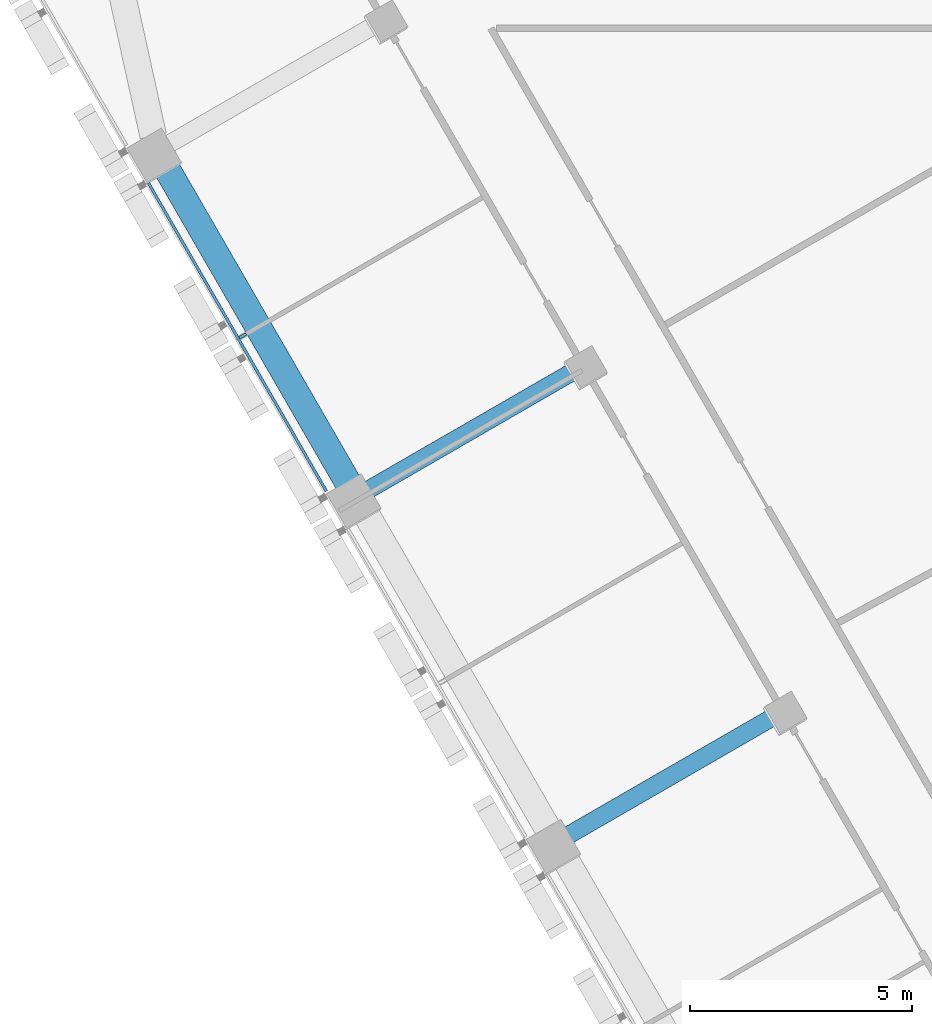
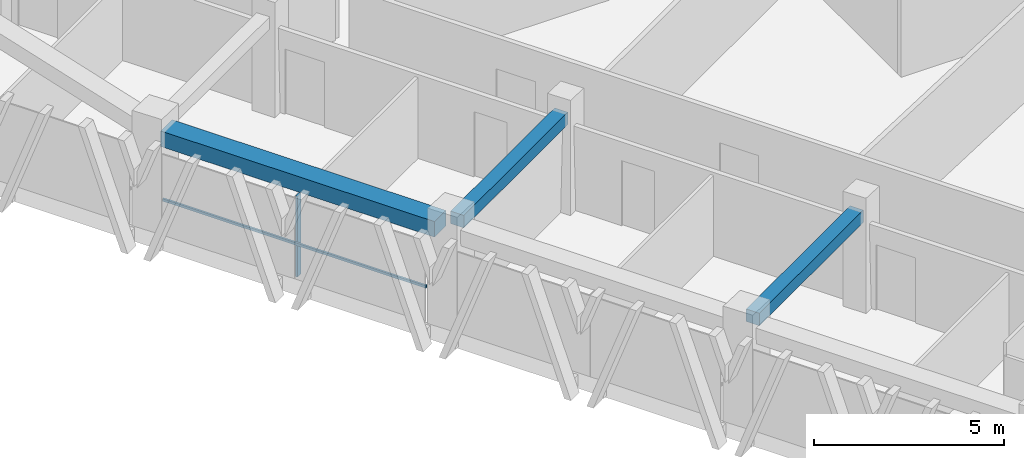
# One storey, part 3 of 16: 3 beams, 2 members, 1 element without a shape of its own.
"""IFC4 building model written with IfcOpenShell, lengths in metres."""

from ifc_helpers import new_model, si_unit, direction, frame, origin, origin_2d, place, context, subcontext, project, spatial, rectangle, extrude, material, layer, layer_set, material_profile, profile_set, type_object, element, aggregate, save


model = new_model("IFC4")

# Units and contexts
model_context = context("Model", 3, precision=1e-05, world=origin(), true_north=direction((0.0, 1.0)))
body_context = subcontext(model_context, "Body", "Model", "MODEL_VIEW")
ifc_project = project(units=[si_unit("LENGTHUNIT", "METRE"), si_unit("AREAUNIT", "SQUARE_METRE"), si_unit("VOLUMEUNIT", "CUBIC_METRE"), si_unit("PLANEANGLEUNIT", "RADIAN"), si_unit("MASSUNIT", "GRAM", prefix="KILO")], contexts=[model_context])

# Site, building, storey
site_placement = place(None, origin())
site = spatial("IfcSite", under=ifc_project, at=site_placement, CompositionType="ELEMENT")
building_placement = place(site_placement, origin())
building = spatial("IfcBuilding", under=site, at=building_placement, Name="Altiplano Prism Tower", CompositionType="ELEMENT")
storey_placement = place(building_placement, frame((0.0, 0.0, 81.0)))
storey = spatial("IfcBuildingStorey", under=building, at=storey_placement, Name="L20", CompositionType="ELEMENT", Elevation=81.0)

# Curtain wall, members
ifc_material_1 = material(Name="Aluminium and glass", Category="aluminium")
ifc_layer = layer(ifc_material_1, 0.280029296875)
ifc_layer_set = layer_set([ifc_layer], Name="Aluminium and glass")
curtain_wall_type = type_object("IfcCurtainWallType", Name="CW1 typical co-living unitised curtain wall", PredefinedType="NOTDEFINED", material=ifc_layer_set)
curtain_wall_placement = place(storey_placement, origin())
curtain_wall = element("IfcCurtainWall", 1, at=curtain_wall_placement, inside=storey, type_object=curtain_wall_type, Name="CW1 curtain wall south-west face L20", PredefinedType="NOTDEFINED")
ifc_material_2 = material(Name="Aluminium", Category="aluminium")
ifc_material_profile_1 = material_profile(ifc_material_2, rectangle(XDim=0.179931640625, YDim=0.06494140625, at=origin_2d()), Name="CW1 mullion 65 x 180")
ifc_profile_set_1 = profile_set([ifc_material_profile_1], Name="Aluminium")
member_type_1 = type_object("IfcMemberType", Name="CW1 mullion 65 x 180", PredefinedType="MULLION", material=ifc_profile_set_1)
member_1_placement = place(storey_placement, frame((63.677734375, 83.467529296875, 0.0), z_axis=(0.0, 0.0, 1.0), x_axis=(0.866025400215, 0.500000006182, 0.0)))
member_1 = element("IfcMember", 2, at=member_1_placement, type_object=member_type_1, Name="CW1 mullion", PredefinedType="MULLION", context=body_context, shape_type="SweptSolid", body=[
    extrude(rectangle(XDim=0.179931640625, YDim=0.06494140625, at=origin_2d()), origin(), (0.0, 0.0, 1.0), 2.60009765625),
])
ifc_material_profile_2 = material_profile(ifc_material_2, rectangle(XDim=0.06005859375, YDim=0.080078125, at=origin_2d()), Name="CW1 transom 80 x 60")
ifc_profile_set_2 = profile_set([ifc_material_profile_2], Name="Aluminium")
member_type_2 = type_object("IfcMemberType", Name="CW1 transom 80 x 60", PredefinedType="USERDEFINED", material=ifc_profile_set_2)
member_2_placement = place(storey_placement, frame((61.54931640625, 86.914306640625, 1.10009765625), z_axis=(0.499976305243, -0.866039083527, 0.0), x_axis=(0.866039083527, 0.499976305243, 0.0)))
member_2 = element("IfcMember", 3, at=member_2_placement, type_object=member_type_2, Name="CW1 transom", ObjectType="TRANSOM", PredefinedType="USERDEFINED", context=body_context, shape_type="SweptSolid", body=[
    extrude(rectangle(XDim=0.06005859375, YDim=0.080078125, at=origin_2d()), origin(), (0.0, 0.0, 1.0), 8.02001953125),
])
aggregate(curtain_wall, [member_1, member_2])

# Beams
ifc_material_3 = material(Name="Concrete C60/75", Category="concrete")
ifc_material_profile_3 = material_profile(ifc_material_3, rectangle(XDim=0.60009765625, YDim=0.5, at=origin_2d()), Name="Edge beam 600x500")
ifc_profile_set_3 = profile_set([ifc_material_profile_3], Name="Concrete C60/75")
beam_type_1 = type_object("IfcBeamType", Name="Edge beam 600x500", PredefinedType="SPANDREL", material=ifc_profile_set_3)
beam_placement = place(storey_placement, frame((61.89794921875, 87.347412109375, 2.85009765625), z_axis=(0.500014701701, -0.866016915587, 0.0), x_axis=(0.866016915587, 0.500014701701, 0.0)))
element("IfcBeam", 4, at=beam_placement, inside=storey, type_object=beam_type_1, Name="Edge beam P11-P12 L21", PredefinedType="SPANDREL", context=body_context, shape_type="SweptSolid", body=[
    extrude(rectangle(XDim=0.60009765625, YDim=0.5, at=origin_2d()), origin(), (0.0, 0.0, 1.0), 8.340087890625),
])
ifc_material_profile_4 = material_profile(ifc_material_3, rectangle(XDim=0.39990234375, YDim=0.39990234375, at=origin_2d()), Name="Tie beam 400x400")
ifc_profile_set_4 = profile_set([ifc_material_profile_4], Name="Concrete C60/75")
beam_type_2 = type_object("IfcBeamType", Name="Tie beam 400x400", PredefinedType="BEAM", material=ifc_profile_set_4)
for number, where, z_axis, x_axis, name in (
    (5, (71.273193359375, 82.748779296875, 2.89990234375), (-0.866031549307, -0.499989355492, 0.0), (0.499989355492, -0.866031549307, 0.0), "Tie beam I12 L21"),
    (6, (75.773193359375, 74.95458984375, 2.89990234375), (-0.866031549307, -0.499989355492, 0.0), (0.499989355492, -0.866031549307, 0.0), "Tie beam I13 L21"),
):
    element("IfcBeam", number, at=place(storey_placement, frame(where, z_axis=z_axis, x_axis=x_axis)), inside=storey, type_object=beam_type_2, Name=name, PredefinedType="BEAM", context=body_context, shape_type="SweptSolid", body=[
        extrude(rectangle(XDim=0.39990234375, YDim=0.39990234375, at=origin_2d()), origin(), (0.0, 0.0, 1.0), 5.48974609375),
    ])

save(model, "model.ifc")
